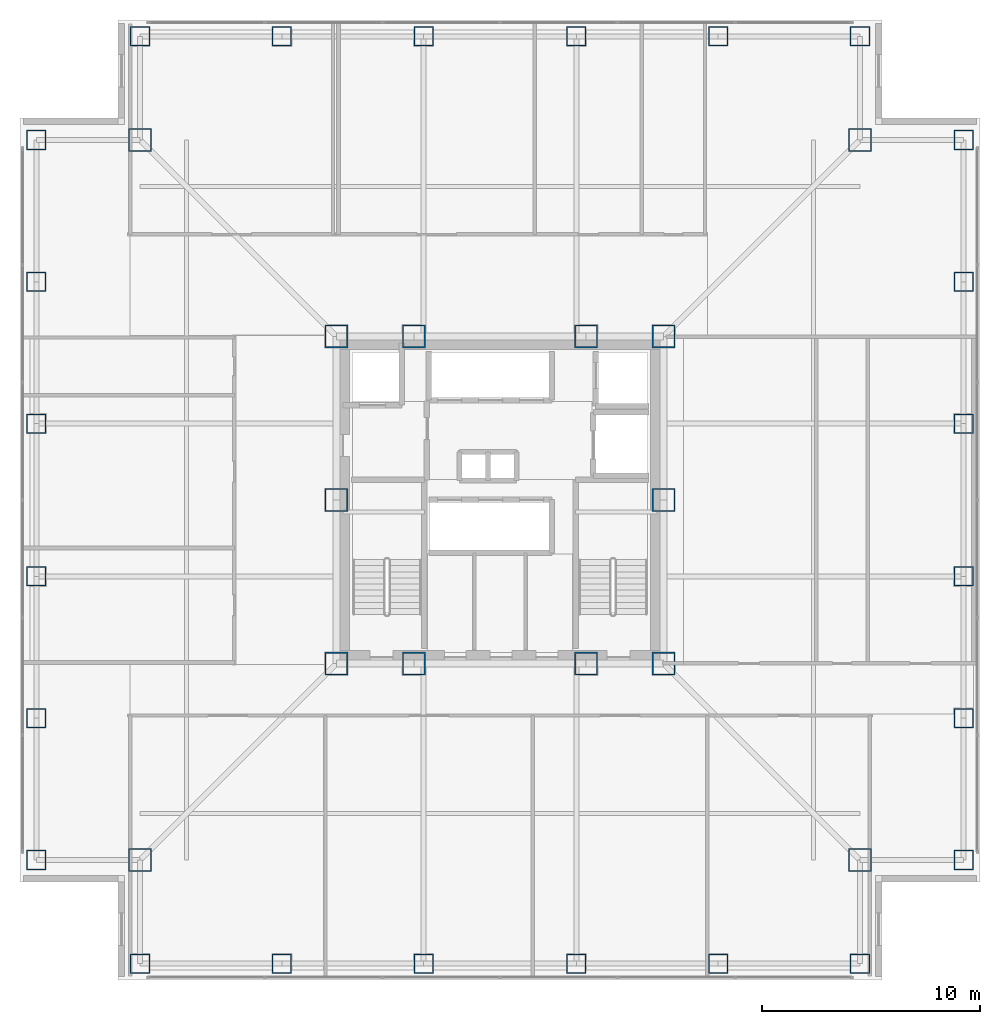
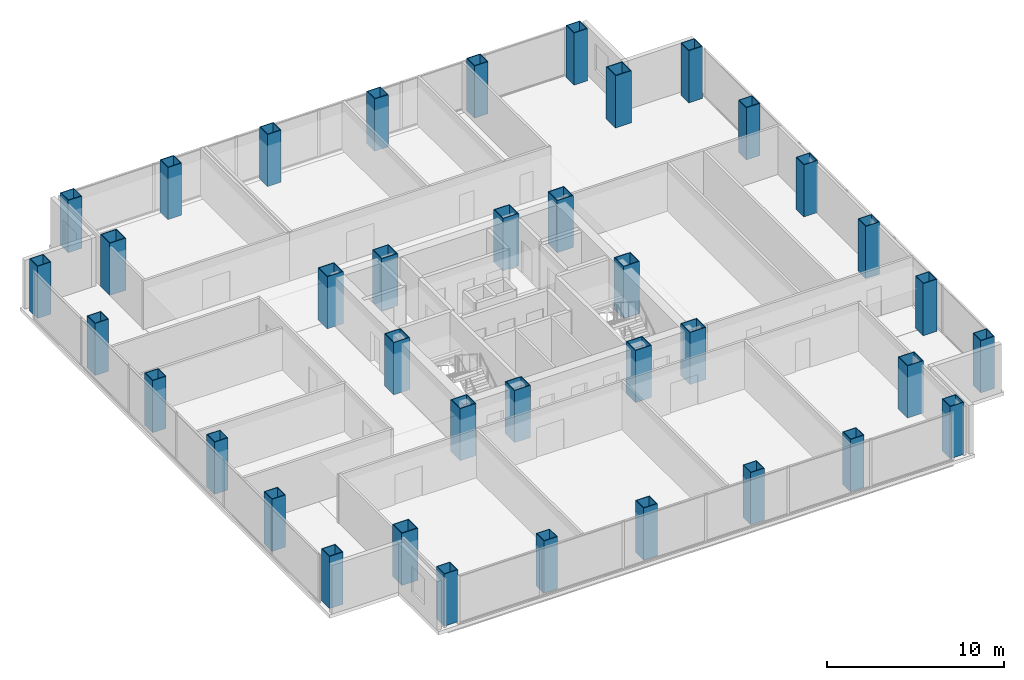
# One storey, part 1 of 17: 38 columns.
"""IFC4 building model written with IfcOpenShell, lengths in metres."""

from ifc_helpers import new_model, si_unit, direction, frame, origin, origin_2d, place, context, subcontext, project, spatial, hollow_rectangle, extrude, material, material_profile, profile_set, type_object, element, save


model = new_model("IFC4")

# Units and contexts
model_context = context("Model", 3, precision=1e-05, world=origin(), true_north=direction((0.0, 1.0)))
body_context = subcontext(model_context, "Body", "Model", "MODEL_VIEW")
ifc_project = project(units=[si_unit("LENGTHUNIT", "METRE"), si_unit("AREAUNIT", "SQUARE_METRE"), si_unit("VOLUMEUNIT", "CUBIC_METRE"), si_unit("PLANEANGLEUNIT", "RADIAN"), si_unit("MASSUNIT", "GRAM", prefix="KILO")], contexts=[model_context])

# Site, building, storey
site_placement = place(None, origin())
site = spatial("IfcSite", under=ifc_project, at=site_placement, CompositionType="ELEMENT")
building_placement = place(site_placement, origin())
building = spatial("IfcBuilding", under=site, at=building_placement, Name="Trevonay Congress Spire", CompositionType="ELEMENT")
storey_placement = place(building_placement, frame((0.0, 0.0, 130.0)))
storey = spatial("IfcBuildingStorey", under=building, at=storey_placement, Name="L33", CompositionType="ELEMENT", Elevation=130.0)

# Columns
ifc_material = material(Name="Steel ASTM A572 Grade 50", Category="steel")
ifc_material_profile_1 = material_profile(ifc_material, hollow_rectangle(XDim=1.050048828125, YDim=1.050048828125, WallThickness=0.050048828125, at=origin_2d()), Name="BOX 1050x1050x50")
ifc_profile_set_1 = profile_set([ifc_material_profile_1], Name="Steel ASTM A572 Grade 50")
column_type_1 = type_object("IfcColumnType", Name="COL-CORE-BOX1050", PredefinedType="COLUMN", material=ifc_profile_set_1)
for number, where, z_axis, x_axis, name in (
    (1, (-7.5, -7.5, 0.0), (0.0, 0.0, 1.0), (1.0, 0.0, 0.0), "L33 column C03 at CC-SW"),
    (2, (-3.949951171875, -7.5, 0.0), (0.0, 0.0, 1.0), (1.0, 0.0, 0.0), "L33 column C03 at CC-SMW"),
    (3, (3.949951171875, -7.5, 0.0), (0.0, 0.0, 1.0), (1.0, 0.0, 0.0), "L33 column C03 at CC-SME"),
    (4, (7.5, -7.5, 0.0), (0.0, 0.0, 1.0), (1.0, 0.0, 0.0), "L33 column C03 at CC-SE"),
    (5, (7.5, 0.0, 0.0), (0.0, 0.0, 1.0), (1.0, 0.0, 0.0), "L33 column C03 at CC-E"),
    (6, (7.5, 7.5, 0.0), (0.0, 0.0, 1.0), (1.0, 0.0, 0.0), "L33 column C03 at CC-NE"),
    (7, (3.949951171875, 7.5, 0.0), (0.0, 0.0, 1.0), (1.0, 0.0, 0.0), "L33 column C03 at CC-NME"),
    (8, (-3.949951171875, 7.5, 0.0), (0.0, 0.0, 1.0), (1.0, 0.0, 0.0), "L33 column C03 at CC-NMW"),
    (9, (-7.5, 7.5, 0.0), (0.0, 0.0, 1.0), (1.0, 0.0, 0.0), "L33 column C03 at CC-NW"),
    (10, (-7.5, 0.0, 0.0), (0.0, 0.0, 1.0), (1.0, 0.0, 0.0), "L33 column C03 at CC-W"),
):
    element("IfcColumn", number, at=place(storey_placement, frame(where, z_axis=z_axis, x_axis=x_axis)), inside=storey, type_object=column_type_1, Name=name, PredefinedType="COLUMN", context=body_context, shape_type="SweptSolid", body=[
        extrude(hollow_rectangle(XDim=1.050048828125, YDim=1.050048828125, WallThickness=0.050048828125, at=origin_2d()), origin(), (0.0, 0.0, 1.0), 3.60009765625),
    ])
ifc_material_profile_2 = material_profile(ifc_material, hollow_rectangle(XDim=1.050048828125, YDim=1.050048828125, WallThickness=0.050048828125, at=origin_2d()), Name="BOX 1050x1050x50")
ifc_profile_set_2 = profile_set([ifc_material_profile_2], Name="Steel ASTM A572 Grade 50")
column_type_2 = type_object("IfcColumnType", Name="COL-TUBE-BOX1050", PredefinedType="COLUMN", material=ifc_profile_set_2)
for number, where, z_axis, x_axis, name in (
    (11, (-16.5, -16.5, 0.0), (0.0, 0.0, 1.0), (1.0, 0.0, 0.0), "L33 column C14 at NC-SW"),
    (12, (16.5, -16.5, 0.0), (0.0, 0.0, 1.0), (1.0, 0.0, 0.0), "L33 column C14 at NC-SE"),
    (13, (16.5, 16.5, 0.0), (0.0, 0.0, 1.0), (1.0, 0.0, 0.0), "L33 column C14 at NC-NE"),
    (14, (-16.5, 16.5, 0.0), (0.0, 0.0, 1.0), (1.0, 0.0, 0.0), "L33 column C14 at NC-NW"),
):
    element("IfcColumn", number, at=place(storey_placement, frame(where, z_axis=z_axis, x_axis=x_axis)), inside=storey, type_object=column_type_2, Name=name, PredefinedType="COLUMN", context=body_context, shape_type="SweptSolid", body=[
        extrude(hollow_rectangle(XDim=1.050048828125, YDim=1.050048828125, WallThickness=0.050048828125, at=origin_2d()), origin(), (0.0, 0.0, 1.0), 3.60009765625),
    ])
ifc_material_profile_3 = material_profile(ifc_material, hollow_rectangle(XDim=0.89990234375, YDim=0.89990234375, WallThickness=0.044921875, at=origin_2d()), Name="BOX 900x900x45")
ifc_profile_set_3 = profile_set([ifc_material_profile_3], Name="Steel ASTM A572 Grade 50")
column_type_3 = type_object("IfcColumnType", Name="COL-TUBE-BOX900", PredefinedType="COLUMN", material=ifc_profile_set_3)
for number, where, z_axis, x_axis, name in (
    (15, (-16.5, -21.25, 0.0), (0.0, 0.0, 1.0), (1.0, 0.0, 0.0), "L33 column C15 at TS-1"),
    (16, (-16.5, 21.25, 0.0), (0.0, 0.0, 1.0), (1.0, 0.0, 0.0), "L33 column C15 at TN-1"),
    (17, (-21.25, -16.5, 0.0), (0.0, 0.0, 1.0), (1.0, 0.0, 0.0), "L33 column C15 at TW-1"),
    (18, (21.25, -16.5, 0.0), (0.0, 0.0, 1.0), (1.0, 0.0, 0.0), "L33 column C15 at TE-1"),
    (19, (-10.0, -21.25, 0.0), (0.0, 0.0, 1.0), (1.0, 0.0, 0.0), "L33 column C15 at TS-2"),
    (20, (-10.0, 21.25, 0.0), (0.0, 0.0, 1.0), (1.0, 0.0, 0.0), "L33 column C15 at TN-2"),
    (21, (-21.25, -10.0, 0.0), (0.0, 0.0, 1.0), (1.0, 0.0, 0.0), "L33 column C15 at TW-2"),
    (22, (21.25, -10.0, 0.0), (0.0, 0.0, 1.0), (1.0, 0.0, 0.0), "L33 column C15 at TE-2"),
    (23, (-3.5, -21.25, 0.0), (0.0, 0.0, 1.0), (1.0, 0.0, 0.0), "L33 column C15 at TS-3"),
    (24, (-3.5, 21.25, 0.0), (0.0, 0.0, 1.0), (1.0, 0.0, 0.0), "L33 column C15 at TN-3"),
    (25, (-21.25, -3.5, 0.0), (0.0, 0.0, 1.0), (1.0, 0.0, 0.0), "L33 column C15 at TW-3"),
    (26, (21.25, -3.5, 0.0), (0.0, 0.0, 1.0), (1.0, 0.0, 0.0), "L33 column C15 at TE-3"),
    (27, (3.5, -21.25, 0.0), (0.0, 0.0, 1.0), (1.0, 0.0, 0.0), "L33 column C15 at TS-4"),
    (28, (3.5, 21.25, 0.0), (0.0, 0.0, 1.0), (1.0, 0.0, 0.0), "L33 column C15 at TN-4"),
    (29, (-21.25, 3.5, 0.0), (0.0, 0.0, 1.0), (1.0, 0.0, 0.0), "L33 column C15 at TW-4"),
    (30, (21.25, 3.5, 0.0), (0.0, 0.0, 1.0), (1.0, 0.0, 0.0), "L33 column C15 at TE-4"),
    (31, (10.0, -21.25, 0.0), (0.0, 0.0, 1.0), (1.0, 0.0, 0.0), "L33 column C15 at TS-5"),
    (32, (10.0, 21.25, 0.0), (0.0, 0.0, 1.0), (1.0, 0.0, 0.0), "L33 column C15 at TN-5"),
    (33, (-21.25, 10.0, 0.0), (0.0, 0.0, 1.0), (1.0, 0.0, 0.0), "L33 column C15 at TW-5"),
    (34, (21.25, 10.0, 0.0), (0.0, 0.0, 1.0), (1.0, 0.0, 0.0), "L33 column C15 at TE-5"),
    (35, (16.5, -21.25, 0.0), (0.0, 0.0, 1.0), (1.0, 0.0, 0.0), "L33 column C15 at TS-6"),
    (36, (16.5, 21.25, 0.0), (0.0, 0.0, 1.0), (1.0, 0.0, 0.0), "L33 column C15 at TN-6"),
    (37, (-21.25, 16.5, 0.0), (0.0, 0.0, 1.0), (1.0, 0.0, 0.0), "L33 column C15 at TW-6"),
    (38, (21.25, 16.5, 0.0), (0.0, 0.0, 1.0), (1.0, 0.0, 0.0), "L33 column C15 at TE-6"),
):
    element("IfcColumn", number, at=place(storey_placement, frame(where, z_axis=z_axis, x_axis=x_axis)), inside=storey, type_object=column_type_3, Name=name, PredefinedType="COLUMN", context=body_context, shape_type="SweptSolid", body=[
        extrude(hollow_rectangle(XDim=0.89990234375, YDim=0.89990234375, WallThickness=0.044921875, at=origin_2d()), origin(), (0.0, 0.0, 1.0), 3.60009765625),
    ])

save(model, "model.ifc")
